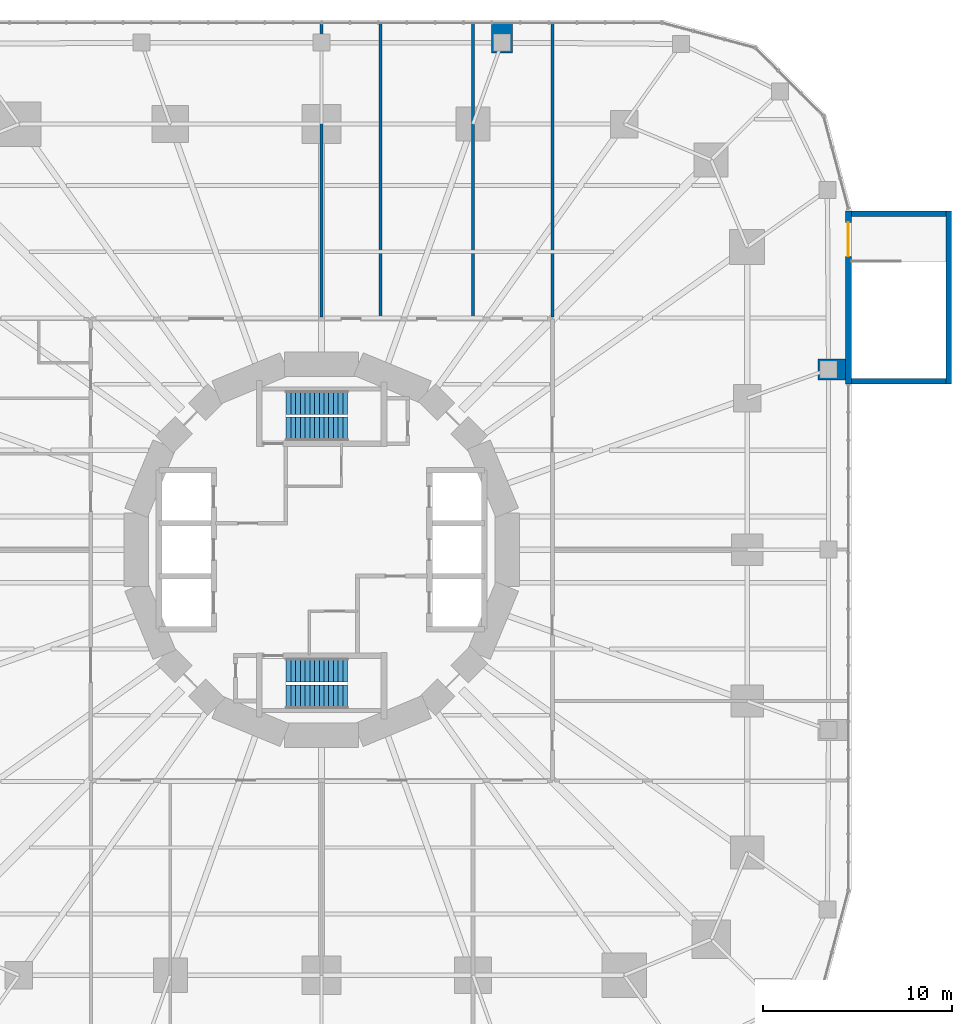
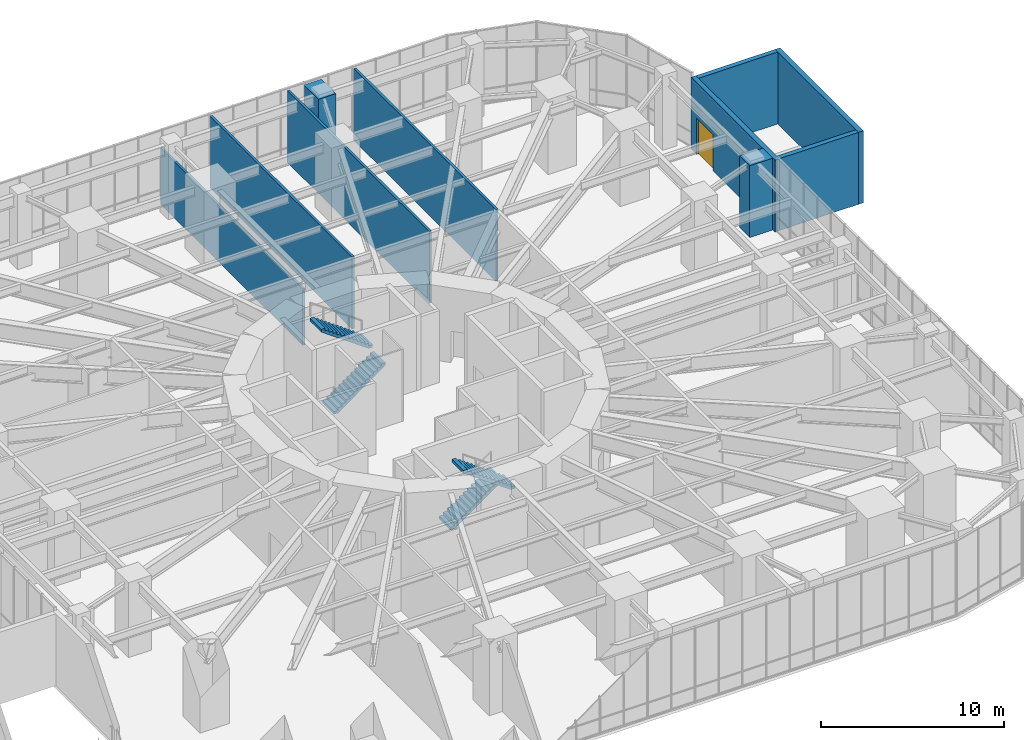
# One storey, part 23 of 24: 10 walls, 4 stair flights, 1 door, 1 opening, 2 elements without a shape of their own.
"""IFC4 building model written with IfcOpenShell, lengths in metres."""

from ifc_helpers import new_model, si_unit, direction, frame, frame_2d, origin, place, context, subcontext, project, spatial, polyline, rectangle, outline, extrude, material, layer, layer_set, type_object, element, fill, aggregate, save


model = new_model("IFC4")

# Units and contexts
model_context = context("Model", 3, precision=1e-05, world=origin(), true_north=direction((0.0, 1.0)))
body_context = subcontext(model_context, "Body", "Model", "MODEL_VIEW")
ifc_project = project(units=[si_unit("LENGTHUNIT", "METRE"), si_unit("AREAUNIT", "SQUARE_METRE"), si_unit("VOLUMEUNIT", "CUBIC_METRE"), si_unit("PLANEANGLEUNIT", "RADIAN"), si_unit("MASSUNIT", "GRAM", prefix="KILO")], contexts=[model_context])

# Site, building, storey
site_placement = place(None, origin())
site = spatial("IfcSite", under=ifc_project, at=site_placement, CompositionType="ELEMENT")
building_placement = place(site_placement, origin())
building = spatial("IfcBuilding", under=site, at=building_placement, Name="Nakasero Lantern House", CompositionType="ELEMENT")
storey_placement = place(building_placement, frame((0.0, 0.0, 11.0)))
storey = spatial("IfcBuildingStorey", under=building, at=storey_placement, Name="L02", CompositionType="ELEMENT", Elevation=11.0)

# Walls
ifc_material_1 = material(Name="Blockwork", Category="masonry")
ifc_layer_1 = layer(ifc_material_1, 1.10009765625)
ifc_layer_set_1 = layer_set([ifc_layer_1], Name="Column pier 1100")
wall_type_1 = type_object("IfcWallType", Name="Column pier 1100", PredefinedType="PARTITIONING", material=ifc_layer_set_1)
wall_1_placement = place(storey_placement, frame((26.25, 9.52880859375, 0.0), z_axis=(0.0, 0.0, 1.0), x_axis=(1.0, 0.0, 0.0)))
element("IfcWall", 1, at=wall_1_placement, inside=storey, type_object=wall_type_1, Name="Column pier L02 PN0-02-4", PredefinedType="PARTITIONING", context=body_context, shape_type="SweptSolid", body=[
    extrude(rectangle(XDim=1.449951171875, YDim=1.10009765625, at=frame_2d((0.72509765625, 0.0))), origin(), (0.0, 0.0, 1.0), 4.800048828125),
])
wall_2_placement = place(storey_placement, frame((9.52880859375, 26.25, 0.0), z_axis=(0.0, 0.0, 1.0), x_axis=(0.0, 1.0, 0.0)))
element("IfcWall", 2, at=wall_2_placement, inside=storey, type_object=wall_type_1, Name="Column pier L02 PN1-00-2", PredefinedType="PARTITIONING", context=body_context, shape_type="SweptSolid", body=[
    extrude(rectangle(XDim=1.60009765625, YDim=1.10009765625, at=frame_2d((0.800048828125, 0.0))), origin(), (0.0, 0.0, 1.0), 4.800048828125),
])
ifc_material_2 = material(Name="Blockwork", Category="masonry")
ifc_layer_2 = layer(ifc_material_2, 0.14990234375)
ifc_layer_set_2 = layer_set([ifc_layer_2], Name="Party wall 150")
wall_type_2 = type_object("IfcWallType", Name="Party wall 150", PredefinedType="PARTITIONING", material=ifc_layer_set_2)
for number, where, z_axis, x_axis, name in (
    (3, (12.199951171875, 12.300048828125, 0.0), (0.0, 0.0, 1.0), (0.0, 1.0, 0.0), "Party wall L02 PW1-00"),
    (4, (8.0, 12.300048828125, 0.0), (0.0, 0.0, 1.0), (0.0, 1.0, 0.0), "Party wall L02 PW1-01"),
    (5, (3.1201171875, 12.300048828125, 0.0), (0.0, 0.0, 1.0), (0.0, 1.0, 0.0), "Party wall L02 PW1-02"),
):
    element("IfcWall", number, at=place(storey_placement, frame(where, z_axis=z_axis, x_axis=x_axis)), inside=storey, type_object=wall_type_2, Name=name, PredefinedType="PARTITIONING", context=body_context, shape_type="SweptSolid", body=[
        extrude(rectangle(XDim=15.550048828125, YDim=0.14990234375, at=frame_2d((7.77490234375, 0.0))), origin(), (0.0, 0.0, 1.0), 4.800048828125),
    ])
wall_3_placement = place(storey_placement, frame((0.0, 12.300048828125, 0.0), z_axis=(0.0, 0.0, 1.0), x_axis=(0.0, 1.0, 0.0)))
element("IfcWall", 6, at=wall_3_placement, inside=storey, type_object=wall_type_2, Name="Party wall L02 PW1-03", PredefinedType="PARTITIONING", context=body_context, shape_type="SweptSolid", body=[
    extrude(rectangle(XDim=15.550048828125, YDim=0.14990234375, at=frame_2d((7.77490234375, 0.0))), origin(), (0.0, 0.0, 1.0), 3.763671875),
])

# Wall, opening, door
ifc_material_3 = material(Name="Concrete C32/40", Category="concrete")
ifc_layer_3 = layer(ifc_material_3, 0.300048828125)
ifc_layer_set_3 = layer_set([ifc_layer_3], Name="Stair enclosure wall 300")
wall_type_3 = type_object("IfcWallType", Name="Stair enclosure wall 300", PredefinedType="SOLIDWALL", material=ifc_layer_set_3)
wall_4_placement = place(storey_placement, frame((27.85009765625, 8.75, 0.0), z_axis=(0.0, 0.0, 1.0), x_axis=(0.0, 1.0, 0.0)))
wall_4 = element("IfcWall", 7, at=wall_4_placement, inside=storey, type_object=wall_type_3, Name="Stair enclosure wall PS1 L02", PredefinedType="SOLIDWALL", context=body_context, shape_type="SweptSolid", body=[
    extrude(rectangle(XDim=9.14990234375, YDim=0.300048828125, at=frame_2d((4.574951171875, 0.0))), origin(), (0.0, 0.0, 1.0), 4.800048828125),
])
opening_placement = place(wall_4_placement, frame((6.75, 0.0, 0.0)))
opening = element("IfcOpeningElement", 8, at=opening_placement, cuts=wall_4, Name="Opening DS1", PredefinedType="OPENING", context=body_context, shape_type="SweptSolid", body=[
    extrude(rectangle(XDim=1.800048828125, YDim=2.39990234375, at=frame_2d((0.89990234375, 1.199951171875))), frame((0.0, 0.169921875, 0.0), z_axis=(0.0, -1.0, 0.0), x_axis=(1.0, 0.0, 0.0)), (0.0, 0.0, 1.0), 0.340087890625),
])
ifc_material_4 = material(Name="Steel S355", Category="steel")
door_type = type_object("IfcDoorType", Name="Stair doors FD60S 1800", OperationType="DOUBLE_DOOR_SINGLE_SWING", PredefinedType="DOOR", material=ifc_material_4)
door_placement = place(opening_placement, origin())
door = element("IfcDoor", 9, at=door_placement, inside=storey, type_object=door_type, Name="Stair doors PS1 L02", OperationType="DOUBLE_DOOR_SINGLE_SWING", OverallHeight=2.39990234375, OverallWidth=1.800048828125, PredefinedType="DOOR", context=body_context, shape_type="SweptSolid", body=[
    extrude(rectangle(XDim=1.800048828125, YDim=2.39990234375, at=frame_2d((0.89990234375, 1.199951171875))), frame((0.0, 0.02490234375, 0.0), z_axis=(0.0, -1.0, 0.0), x_axis=(1.0, 0.0, 0.0)), (0.0, 0.0, 1.0), 0.050048828125),
])
fill(opening, door)

# Walls
ifc_material_5 = material(Name="Concrete C32/40", Category="concrete")
ifc_layer_4 = layer(ifc_material_5, 0.300048828125)
ifc_layer_set_4 = layer_set([ifc_layer_4], Name="Stair tower wall 300")
wall_type_4 = type_object("IfcWallType", Name="Stair tower wall 300", PredefinedType="SOLIDWALL", material=ifc_layer_set_4)
wall_5_placement = place(storey_placement, frame((33.14990234375, 8.75, 0.0), z_axis=(0.0, 0.0, 1.0), x_axis=(0.0, 1.0, 0.0)))
element("IfcWall", 10, at=wall_5_placement, inside=storey, type_object=wall_type_4, Name="Escape stair tower wall PS1 L02 O", PredefinedType="SOLIDWALL", context=body_context, shape_type="SweptSolid", body=[
    extrude(rectangle(XDim=9.14990234375, YDim=0.300048828125, at=frame_2d((4.574951171875, 0.0))), origin(), (0.0, 0.0, 1.0), 4.800048828125),
])
for number, where, z_axis, x_axis, name in (
    (11, (28.0, 8.89990234375, 0.0), (0.0, 0.0, 1.0), (1.0, 0.0, 0.0), "Escape stair tower wall PS1 L02 S"),
    (12, (28.0, 17.75, 0.0), (0.0, 0.0, 1.0), (1.0, 0.0, 0.0), "Escape stair tower wall PS1 L02 N"),
):
    element("IfcWall", number, at=place(storey_placement, frame(where, z_axis=z_axis, x_axis=x_axis)), inside=storey, type_object=wall_type_4, Name=name, PredefinedType="SOLIDWALL", context=body_context, shape_type="SweptSolid", body=[
        extrude(rectangle(XDim=5.0, YDim=0.300048828125, at=frame_2d((2.5, 0.0))), origin(), (0.0, 0.0, 1.0), 4.800048828125),
    ])

# Stair, stair flights
ifc_material_6 = material(Name="Concrete C40/50", Category="concrete")
stair_type_1 = type_object("IfcStairType", Name="Escape stair ST1 28 risers", PredefinedType="HALF_TURN_STAIR", material=ifc_material_6)
stair_1_placement = place(storey_placement, origin())
stair_1 = element("IfcStair", 13, at=stair_1_placement, inside=storey, type_object=stair_type_1, Name="Escape stair ST1 L02", PredefinedType="HALF_TURN_STAIR")
ifc_material_7 = material(Name="Concrete C40/50", Category="concrete")
stair_flight_type = type_object("IfcStairFlightType", Name="Escape stair flight", PredefinedType="STRAIGHT", material=ifc_material_7)
stair_flight_1_placement = place(storey_placement, frame((-1.875, 6.375, 0.0), z_axis=(0.0, 0.0, 1.0), x_axis=(1.0, 0.0, 0.0)))
stair_flight_1 = element("IfcStairFlight", 14, at=stair_flight_1_placement, type_object=stair_flight_type, Name="ST1 flight 1", NumberOfRisers=14, NumberOfTreads=13, PredefinedType="STRAIGHT", RiserHeight=0.178571429, TreadLength=0.25, context=body_context, shape_type="SweptSolid", body=[
    extrude(outline(polyline([(0.0, 0.0), (0.0, 0.178466796875), (0.25, 0.178466796875), (0.25, 0.357177734375), (0.5, 0.357177734375), (0.5, 0.53564453125), (0.75, 0.53564453125), (0.75, 0.71435546875), (1.0, 0.71435546875), (1.0, 0.892822265625), (1.25, 0.892822265625), (1.25, 1.071533203125), (1.5, 1.071533203125), (1.5, 1.25), (1.75, 1.25), (1.75, 1.428466796875), (2.0, 1.428466796875), (2.0, 1.607177734375), (2.25, 1.607177734375), (2.25, 1.78564453125), (2.5, 1.78564453125), (2.5, 1.96435546875), (2.75, 1.96435546875), (2.75, 2.142822265625), (3.0, 2.142822265625), (3.0, 2.321533203125), (3.25, 2.321533203125), (3.25, 2.5), (3.25, 2.13720703125), (0.2578125, 0.0), (0.0, 0.0)])), frame((0.0, 0.625, 0.0), z_axis=(0.0, -1.0, 0.0), x_axis=(1.0, 0.0, 0.0)), (0.0, 0.0, 1.0), 1.25),
])
stair_flight_2_placement = place(storey_placement, frame((1.375, 7.77490234375, 2.5), z_axis=(0.0, 0.0, 1.0), x_axis=(-1.0, 0.0, 0.0)))
stair_flight_2 = element("IfcStairFlight", 15, at=stair_flight_2_placement, type_object=stair_flight_type, Name="ST1 flight 2", NumberOfRisers=14, NumberOfTreads=13, PredefinedType="STRAIGHT", RiserHeight=0.178571429, TreadLength=0.25, context=body_context, shape_type="SweptSolid", body=[
    extrude(outline(polyline([(0.0, 0.0), (0.0, 0.178466796875), (0.25, 0.178466796875), (0.25, 0.357177734375), (0.5, 0.357177734375), (0.5, 0.53564453125), (0.75, 0.53564453125), (0.75, 0.71435546875), (1.0, 0.71435546875), (1.0, 0.892822265625), (1.25, 0.892822265625), (1.25, 1.071533203125), (1.5, 1.071533203125), (1.5, 1.25), (1.75, 1.25), (1.75, 1.428466796875), (2.0, 1.428466796875), (2.0, 1.607177734375), (2.25, 1.607177734375), (2.25, 1.78564453125), (2.5, 1.78564453125), (2.5, 1.96435546875), (2.75, 1.96435546875), (2.75, 2.142822265625), (3.0, 2.142822265625), (3.0, 2.321533203125), (3.25, 2.321533203125), (3.25, 2.5), (3.25, 2.13720703125), (0.2578125, 0.0), (0.0, 0.0)])), frame((0.0, 0.625, 0.0), z_axis=(0.0, -1.0, 0.0), x_axis=(1.0, 0.0, 0.0)), (0.0, 0.0, 1.0), 1.25),
])
aggregate(stair_1, [stair_flight_1, stair_flight_2])

ifc_material_8 = material(Name="Concrete C40/50", Category="concrete")
stair_type_2 = type_object("IfcStairType", Name="Escape stair ST2 28 risers", PredefinedType="HALF_TURN_STAIR", material=ifc_material_8)
stair_2_placement = place(storey_placement, origin())
stair_2 = element("IfcStair", 16, at=stair_2_placement, inside=storey, type_object=stair_type_2, Name="Escape stair ST2 L02", PredefinedType="HALF_TURN_STAIR")
stair_flight_3_placement = place(storey_placement, frame((-1.875, -6.375, 0.0), z_axis=(0.0, 0.0, 1.0), x_axis=(1.0, 0.0, 0.0)))
stair_flight_3 = element("IfcStairFlight", 17, at=stair_flight_3_placement, type_object=stair_flight_type, Name="ST2 flight 1", NumberOfRisers=14, NumberOfTreads=13, PredefinedType="STRAIGHT", RiserHeight=0.178571429, TreadLength=0.25, context=body_context, shape_type="SweptSolid", body=[
    extrude(outline(polyline([(0.0, 0.0), (0.0, 0.178466796875), (0.25, 0.178466796875), (0.25, 0.357177734375), (0.5, 0.357177734375), (0.5, 0.53564453125), (0.75, 0.53564453125), (0.75, 0.71435546875), (1.0, 0.71435546875), (1.0, 0.892822265625), (1.25, 0.892822265625), (1.25, 1.071533203125), (1.5, 1.071533203125), (1.5, 1.25), (1.75, 1.25), (1.75, 1.428466796875), (2.0, 1.428466796875), (2.0, 1.607177734375), (2.25, 1.607177734375), (2.25, 1.78564453125), (2.5, 1.78564453125), (2.5, 1.96435546875), (2.75, 1.96435546875), (2.75, 2.142822265625), (3.0, 2.142822265625), (3.0, 2.321533203125), (3.25, 2.321533203125), (3.25, 2.5), (3.25, 2.13720703125), (0.2578125, 0.0), (0.0, 0.0)])), frame((0.0, 0.625, 0.0), z_axis=(0.0, -1.0, 0.0), x_axis=(1.0, 0.0, 0.0)), (0.0, 0.0, 1.0), 1.25),
])
stair_flight_4_placement = place(storey_placement, frame((1.375, -7.77490234375, 2.5), z_axis=(0.0, 0.0, 1.0), x_axis=(-1.0, 0.0, 0.0)))
stair_flight_4 = element("IfcStairFlight", 18, at=stair_flight_4_placement, type_object=stair_flight_type, Name="ST2 flight 2", NumberOfRisers=14, NumberOfTreads=13, PredefinedType="STRAIGHT", RiserHeight=0.178571429, TreadLength=0.25, context=body_context, shape_type="SweptSolid", body=[
    extrude(outline(polyline([(0.0, 0.0), (0.0, 0.178466796875), (0.25, 0.178466796875), (0.25, 0.357177734375), (0.5, 0.357177734375), (0.5, 0.53564453125), (0.75, 0.53564453125), (0.75, 0.71435546875), (1.0, 0.71435546875), (1.0, 0.892822265625), (1.25, 0.892822265625), (1.25, 1.071533203125), (1.5, 1.071533203125), (1.5, 1.25), (1.75, 1.25), (1.75, 1.428466796875), (2.0, 1.428466796875), (2.0, 1.607177734375), (2.25, 1.607177734375), (2.25, 1.78564453125), (2.5, 1.78564453125), (2.5, 1.96435546875), (2.75, 1.96435546875), (2.75, 2.142822265625), (3.0, 2.142822265625), (3.0, 2.321533203125), (3.25, 2.321533203125), (3.25, 2.5), (3.25, 2.13720703125), (0.2578125, 0.0), (0.0, 0.0)])), frame((0.0, 0.625, 0.0), z_axis=(0.0, -1.0, 0.0), x_axis=(1.0, 0.0, 0.0)), (0.0, 0.0, 1.0), 1.25),
])
aggregate(stair_2, [stair_flight_3, stair_flight_4])

save(model, "model.ifc")
